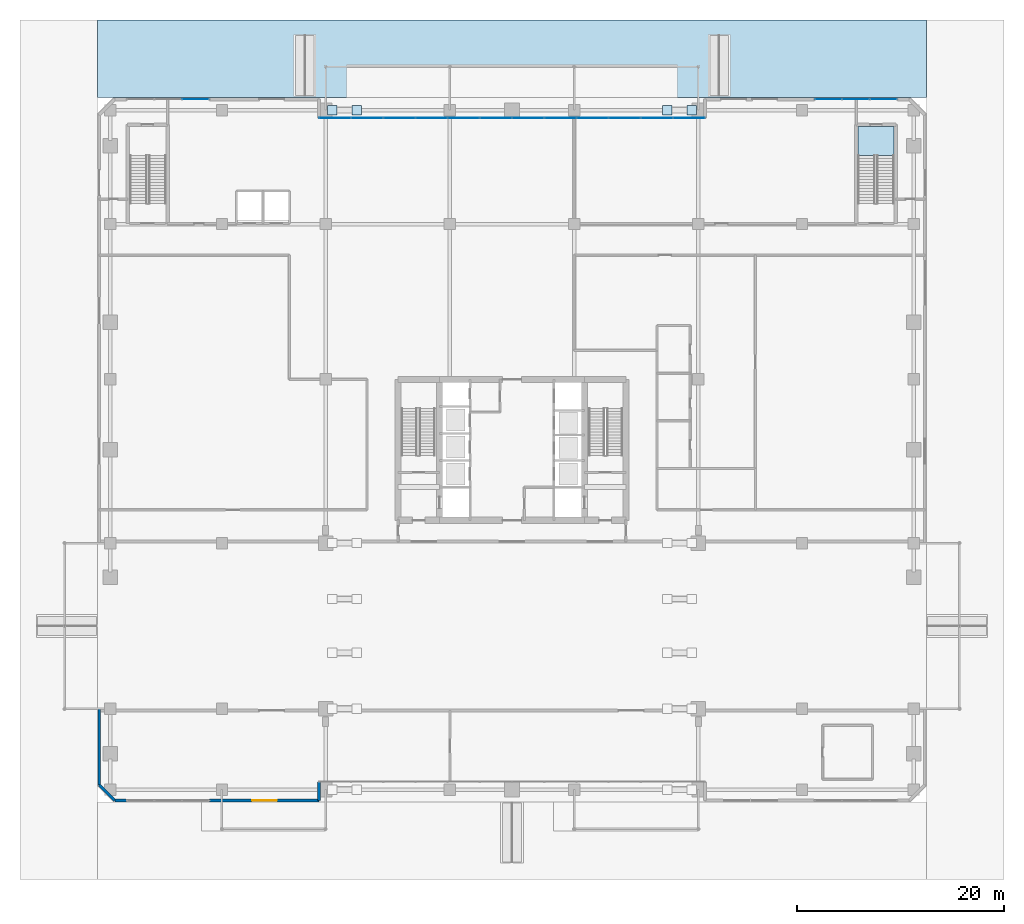
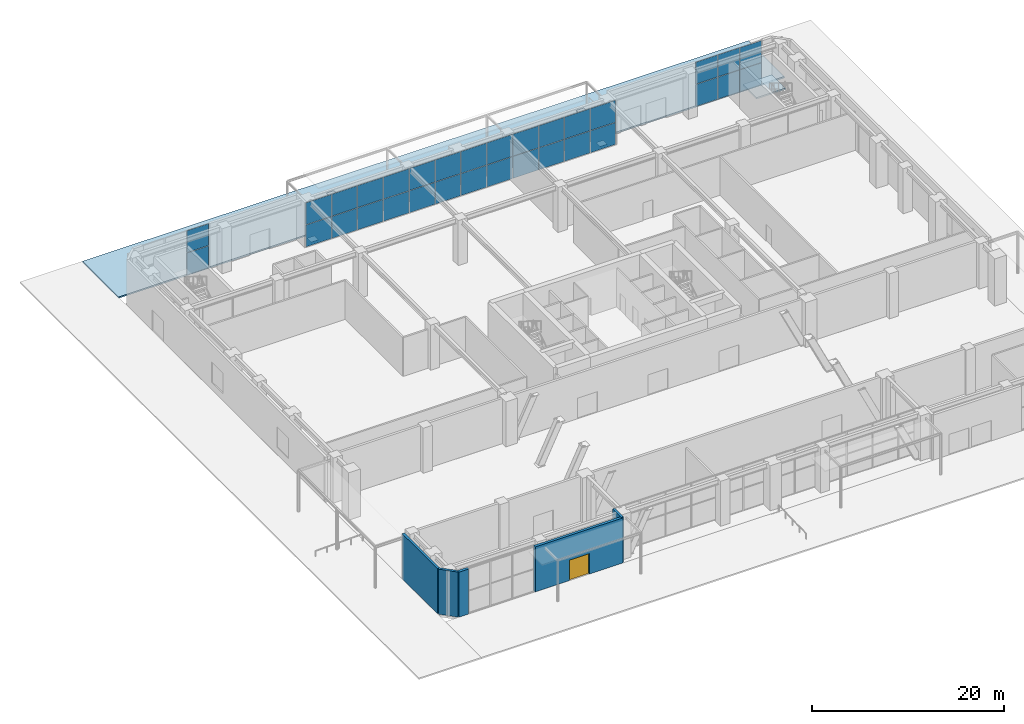
# One storey, part 33 of 49: 36 plates, 5 walls, 2 slabs, 1 door, 1 opening, 4 elements without a shape of their own.
"""IFC4 building model written with IfcOpenShell, lengths in metres."""

from ifc_helpers import new_model, si_unit, direction, frame, frame_2d, origin, origin_2d, place, context, subcontext, project, spatial, polyline, rectangle, outline, extrude, material, layer, layer_set, type_object, element, fill, aggregate, save


model = new_model("IFC4")

# Units and contexts
model_context = context("Model", 3, precision=1e-05, world=origin(), true_north=direction((0.0, 1.0)))
body_context = subcontext(model_context, "Body", "Model", "MODEL_VIEW")
ifc_project = project(units=[si_unit("LENGTHUNIT", "METRE"), si_unit("AREAUNIT", "SQUARE_METRE"), si_unit("VOLUMEUNIT", "CUBIC_METRE"), si_unit("PLANEANGLEUNIT", "RADIAN"), si_unit("MASSUNIT", "GRAM", prefix="KILO")], contexts=[model_context])

# Site, building, storey
site_placement = place(None, origin())
site = spatial("IfcSite", under=ifc_project, at=site_placement, CompositionType="ELEMENT")
building_placement = place(site_placement, origin())
building = spatial("IfcBuilding", under=site, at=building_placement, Name="Sarneth Arch Tower", CompositionType="ELEMENT")
storey_placement = place(building_placement, origin())
storey = spatial("IfcBuildingStorey", under=building, at=storey_placement, Name="L00", CompositionType="ELEMENT", Elevation=0.0)

# Curtain wall, plates
ifc_material_1 = material(Name="Anodised aluminium Type AA25 and solar-control low-e laminated IGU", Category="aluminium")
ifc_layer_1 = layer(ifc_material_1, 0.199951171875)
ifc_layer_set_1 = layer_set([ifc_layer_1], Name="Anodised aluminium Type AA25 and solar-control low-e laminated IGU")
curtain_wall_type = type_object("IfcCurtainWallType", Name="CW-ARCH-GLAZE", PredefinedType="NOTDEFINED", material=ifc_layer_set_1)
curtain_wall_1_placement = place(storey_placement, origin())
curtain_wall_1 = element("IfcCurtainWall", 1, at=curtain_wall_1_placement, inside=storey, type_object=curtain_wall_type, Name="L00 North parabolic arch portal curtain wall", PredefinedType="NOTDEFINED")
ifc_material_2 = material(Name="Solar-control low-e laminated IGU", Category="glass")
ifc_layer_2 = layer(ifc_material_2, 0.028076171875)
ifc_layer_set_2 = layer_set([ifc_layer_2], Name="Solar-control low-e laminated IGU")
plate_type_1 = type_object("IfcPlateType", Name="CW-PANEL", PredefinedType="CURTAIN_PANEL", material=ifc_layer_set_2)
plate_1_placement = place(storey_placement, frame((65.080810546875, 74.050048828125, 0.06005859375), z_axis=(0.0, 0.0, 1.0), x_axis=(-1.0, 0.0, 0.0)))
plate_1 = element("IfcPlate", 2, at=plate_1_placement, type_object=plate_type_1, Name="Curtain wall glazed vision pane CW-L00-N-ARCH/P00-00", PredefinedType="CURTAIN_PANEL", context=body_context, shape_type="SweptSolid", body=[
    extrude(rectangle(XDim=3.018310546875, YDim=0.028076171875, at=origin_2d()), origin(), (0.0, 0.0, 1.0), 2.77001953125),
])
plate_2_placement = place(storey_placement, frame((65.080810546875, 74.050048828125, 2.889892578125), z_axis=(0.0, 0.0, 1.0), x_axis=(-1.0, 0.0, 0.0)))
plate_2 = element("IfcPlate", 3, at=plate_2_placement, type_object=plate_type_1, Name="Curtain wall glazed vision pane CW-L00-N-ARCH/P00-01", PredefinedType="CURTAIN_PANEL", context=body_context, shape_type="SweptSolid", body=[
    extrude(rectangle(XDim=3.018310546875, YDim=0.028076171875, at=origin_2d()), origin(), (0.0, 0.0, 1.0), 2.77001953125),
])
plate_3_placement = place(storey_placement, frame((61.987548828125, 74.050048828125, 0.06005859375), z_axis=(0.0, 0.0, 1.0), x_axis=(-1.0, 0.0, 0.0)))
plate_3 = element("IfcPlate", 4, at=plate_3_placement, type_object=plate_type_1, Name="Curtain wall glazed vision pane CW-L00-N-ARCH/P01-00", PredefinedType="CURTAIN_PANEL", context=body_context, shape_type="SweptSolid", body=[
    extrude(rectangle(XDim=3.04833984375, YDim=0.028076171875, at=origin_2d()), origin(), (0.0, 0.0, 1.0), 2.77001953125),
])
plate_4_placement = place(storey_placement, frame((61.987548828125, 74.050048828125, 2.889892578125), z_axis=(0.0, 0.0, 1.0), x_axis=(-1.0, 0.0, 0.0)))
plate_4 = element("IfcPlate", 5, at=plate_4_placement, type_object=plate_type_1, Name="Curtain wall glazed vision pane CW-L00-N-ARCH/P01-01", PredefinedType="CURTAIN_PANEL", context=body_context, shape_type="SweptSolid", body=[
    extrude(rectangle(XDim=3.04833984375, YDim=0.028076171875, at=origin_2d()), origin(), (0.0, 0.0, 1.0), 2.77001953125),
])
plate_5_placement = place(storey_placement, frame((58.879150390625, 74.050048828125, 0.06005859375), z_axis=(0.0, 0.0, 1.0), x_axis=(-1.0, 0.0, 0.0)))
plate_5 = element("IfcPlate", 6, at=plate_5_placement, type_object=plate_type_1, Name="Curtain wall glazed vision pane CW-L00-N-ARCH/P02-00", PredefinedType="CURTAIN_PANEL", context=body_context, shape_type="SweptSolid", body=[
    extrude(rectangle(XDim=3.04833984375, YDim=0.028076171875, at=origin_2d()), origin(), (0.0, 0.0, 1.0), 2.77001953125),
])
plate_6_placement = place(storey_placement, frame((58.879150390625, 74.050048828125, 2.889892578125), z_axis=(0.0, 0.0, 1.0), x_axis=(-1.0, 0.0, 0.0)))
plate_6 = element("IfcPlate", 7, at=plate_6_placement, type_object=plate_type_1, Name="Curtain wall glazed vision pane CW-L00-N-ARCH/P02-01", PredefinedType="CURTAIN_PANEL", context=body_context, shape_type="SweptSolid", body=[
    extrude(rectangle(XDim=3.04833984375, YDim=0.028076171875, at=origin_2d()), origin(), (0.0, 0.0, 1.0), 2.77001953125),
])
plate_7_placement = place(storey_placement, frame((55.770751953125, 74.050048828125, 0.06005859375), z_axis=(0.0, 0.0, 1.0), x_axis=(-1.0, 0.0, 0.0)))
plate_7 = element("IfcPlate", 8, at=plate_7_placement, type_object=plate_type_1, Name="Curtain wall glazed vision pane CW-L00-N-ARCH/P03-00", PredefinedType="CURTAIN_PANEL", context=body_context, shape_type="SweptSolid", body=[
    extrude(rectangle(XDim=3.04833984375, YDim=0.028076171875, at=origin_2d()), origin(), (0.0, 0.0, 1.0), 2.77001953125),
])
plate_8_placement = place(storey_placement, frame((55.770751953125, 74.050048828125, 2.889892578125), z_axis=(0.0, 0.0, 1.0), x_axis=(-1.0, 0.0, 0.0)))
plate_8 = element("IfcPlate", 9, at=plate_8_placement, type_object=plate_type_1, Name="Curtain wall glazed vision pane CW-L00-N-ARCH/P03-01", PredefinedType="CURTAIN_PANEL", context=body_context, shape_type="SweptSolid", body=[
    extrude(rectangle(XDim=3.04833984375, YDim=0.028076171875, at=origin_2d()), origin(), (0.0, 0.0, 1.0), 2.77001953125),
])
plate_9_placement = place(storey_placement, frame((52.66259765625, 74.050048828125, 0.06005859375), z_axis=(0.0, 0.0, 1.0), x_axis=(-1.0, 0.0, 0.0)))
plate_9 = element("IfcPlate", 10, at=plate_9_placement, type_object=plate_type_1, Name="Curtain wall glazed vision pane CW-L00-N-ARCH/P04-00", PredefinedType="CURTAIN_PANEL", context=body_context, shape_type="SweptSolid", body=[
    extrude(rectangle(XDim=3.04833984375, YDim=0.028076171875, at=origin_2d()), origin(), (0.0, 0.0, 1.0), 2.77001953125),
])
plate_10_placement = place(storey_placement, frame((52.66259765625, 74.050048828125, 2.889892578125), z_axis=(0.0, 0.0, 1.0), x_axis=(-1.0, 0.0, 0.0)))
plate_10 = element("IfcPlate", 11, at=plate_10_placement, type_object=plate_type_1, Name="Curtain wall glazed vision pane CW-L00-N-ARCH/P04-01", PredefinedType="CURTAIN_PANEL", context=body_context, shape_type="SweptSolid", body=[
    extrude(rectangle(XDim=3.04833984375, YDim=0.028076171875, at=origin_2d()), origin(), (0.0, 0.0, 1.0), 2.77001953125),
])
plate_11_placement = place(storey_placement, frame((49.55419921875, 74.050048828125, 0.06005859375), z_axis=(0.0, 0.0, 1.0), x_axis=(-1.0, 0.0, 0.0)))
plate_11 = element("IfcPlate", 12, at=plate_11_placement, type_object=plate_type_1, Name="Curtain wall glazed vision pane CW-L00-N-ARCH/P05-00", PredefinedType="CURTAIN_PANEL", context=body_context, shape_type="SweptSolid", body=[
    extrude(rectangle(XDim=3.04833984375, YDim=0.028076171875, at=origin_2d()), origin(), (0.0, 0.0, 1.0), 2.77001953125),
])
plate_12_placement = place(storey_placement, frame((49.55419921875, 74.050048828125, 2.889892578125), z_axis=(0.0, 0.0, 1.0), x_axis=(-1.0, 0.0, 0.0)))
plate_12 = element("IfcPlate", 13, at=plate_12_placement, type_object=plate_type_1, Name="Curtain wall glazed vision pane CW-L00-N-ARCH/P05-01", PredefinedType="CURTAIN_PANEL", context=body_context, shape_type="SweptSolid", body=[
    extrude(rectangle(XDim=3.04833984375, YDim=0.028076171875, at=origin_2d()), origin(), (0.0, 0.0, 1.0), 2.77001953125),
])
plate_13_placement = place(storey_placement, frame((46.44580078125, 74.050048828125, 0.06005859375), z_axis=(0.0, 0.0, 1.0), x_axis=(-1.0, 0.0, 0.0)))
plate_13 = element("IfcPlate", 14, at=plate_13_placement, type_object=plate_type_1, Name="Curtain wall glazed vision pane CW-L00-N-ARCH/P06-00", PredefinedType="CURTAIN_PANEL", context=body_context, shape_type="SweptSolid", body=[
    extrude(rectangle(XDim=3.04833984375, YDim=0.028076171875, at=origin_2d()), origin(), (0.0, 0.0, 1.0), 2.77001953125),
])
plate_14_placement = place(storey_placement, frame((46.44580078125, 74.050048828125, 2.889892578125), z_axis=(0.0, 0.0, 1.0), x_axis=(-1.0, 0.0, 0.0)))
plate_14 = element("IfcPlate", 15, at=plate_14_placement, type_object=plate_type_1, Name="Curtain wall glazed vision pane CW-L00-N-ARCH/P06-01", PredefinedType="CURTAIN_PANEL", context=body_context, shape_type="SweptSolid", body=[
    extrude(rectangle(XDim=3.04833984375, YDim=0.028076171875, at=origin_2d()), origin(), (0.0, 0.0, 1.0), 2.77001953125),
])
plate_15_placement = place(storey_placement, frame((43.33740234375, 74.050048828125, 0.06005859375), z_axis=(0.0, 0.0, 1.0), x_axis=(-1.0, 0.0, 0.0)))
plate_15 = element("IfcPlate", 16, at=plate_15_placement, type_object=plate_type_1, Name="Curtain wall glazed vision pane CW-L00-N-ARCH/P07-00", PredefinedType="CURTAIN_PANEL", context=body_context, shape_type="SweptSolid", body=[
    extrude(rectangle(XDim=3.04833984375, YDim=0.028076171875, at=origin_2d()), origin(), (0.0, 0.0, 1.0), 2.77001953125),
])
plate_16_placement = place(storey_placement, frame((43.33740234375, 74.050048828125, 2.889892578125), z_axis=(0.0, 0.0, 1.0), x_axis=(-1.0, 0.0, 0.0)))
plate_16 = element("IfcPlate", 17, at=plate_16_placement, type_object=plate_type_1, Name="Curtain wall glazed vision pane CW-L00-N-ARCH/P07-01", PredefinedType="CURTAIN_PANEL", context=body_context, shape_type="SweptSolid", body=[
    extrude(rectangle(XDim=3.04833984375, YDim=0.028076171875, at=origin_2d()), origin(), (0.0, 0.0, 1.0), 2.77001953125),
])
plate_17_placement = place(storey_placement, frame((40.229248046875, 74.050048828125, 0.06005859375), z_axis=(0.0, 0.0, 1.0), x_axis=(-1.0, 0.0, 0.0)))
plate_17 = element("IfcPlate", 18, at=plate_17_placement, type_object=plate_type_1, Name="Curtain wall glazed vision pane CW-L00-N-ARCH/P08-00", PredefinedType="CURTAIN_PANEL", context=body_context, shape_type="SweptSolid", body=[
    extrude(rectangle(XDim=3.04833984375, YDim=0.028076171875, at=origin_2d()), origin(), (0.0, 0.0, 1.0), 2.77001953125),
])
plate_18_placement = place(storey_placement, frame((40.229248046875, 74.050048828125, 2.889892578125), z_axis=(0.0, 0.0, 1.0), x_axis=(-1.0, 0.0, 0.0)))
plate_18 = element("IfcPlate", 19, at=plate_18_placement, type_object=plate_type_1, Name="Curtain wall glazed vision pane CW-L00-N-ARCH/P08-01", PredefinedType="CURTAIN_PANEL", context=body_context, shape_type="SweptSolid", body=[
    extrude(rectangle(XDim=3.04833984375, YDim=0.028076171875, at=origin_2d()), origin(), (0.0, 0.0, 1.0), 2.77001953125),
])
plate_19_placement = place(storey_placement, frame((37.120849609375, 74.050048828125, 0.06005859375), z_axis=(0.0, 0.0, 1.0), x_axis=(-1.0, 0.0, 0.0)))
plate_19 = element("IfcPlate", 20, at=plate_19_placement, type_object=plate_type_1, Name="Curtain wall glazed vision pane CW-L00-N-ARCH/P09-00", PredefinedType="CURTAIN_PANEL", context=body_context, shape_type="SweptSolid", body=[
    extrude(rectangle(XDim=3.04833984375, YDim=0.028076171875, at=origin_2d()), origin(), (0.0, 0.0, 1.0), 2.77001953125),
])
plate_20_placement = place(storey_placement, frame((37.120849609375, 74.050048828125, 2.889892578125), z_axis=(0.0, 0.0, 1.0), x_axis=(-1.0, 0.0, 0.0)))
plate_20 = element("IfcPlate", 21, at=plate_20_placement, type_object=plate_type_1, Name="Curtain wall glazed vision pane CW-L00-N-ARCH/P09-01", PredefinedType="CURTAIN_PANEL", context=body_context, shape_type="SweptSolid", body=[
    extrude(rectangle(XDim=3.04833984375, YDim=0.028076171875, at=origin_2d()), origin(), (0.0, 0.0, 1.0), 2.77001953125),
])
plate_21_placement = place(storey_placement, frame((34.012451171875, 74.050048828125, 0.06005859375), z_axis=(0.0, 0.0, 1.0), x_axis=(-1.0, 0.0, 0.0)))
plate_21 = element("IfcPlate", 22, at=plate_21_placement, type_object=plate_type_1, Name="Curtain wall glazed vision pane CW-L00-N-ARCH/P10-00", PredefinedType="CURTAIN_PANEL", context=body_context, shape_type="SweptSolid", body=[
    extrude(rectangle(XDim=3.04833984375, YDim=0.028076171875, at=origin_2d()), origin(), (0.0, 0.0, 1.0), 2.77001953125),
])
plate_22_placement = place(storey_placement, frame((34.012451171875, 74.050048828125, 2.889892578125), z_axis=(0.0, 0.0, 1.0), x_axis=(-1.0, 0.0, 0.0)))
plate_22 = element("IfcPlate", 23, at=plate_22_placement, type_object=plate_type_1, Name="Curtain wall glazed vision pane CW-L00-N-ARCH/P10-01", PredefinedType="CURTAIN_PANEL", context=body_context, shape_type="SweptSolid", body=[
    extrude(rectangle(XDim=3.04833984375, YDim=0.028076171875, at=origin_2d()), origin(), (0.0, 0.0, 1.0), 2.77001953125),
])
plate_23_placement = place(storey_placement, frame((30.919189453125, 74.050048828125, 0.06005859375), z_axis=(0.0, 0.0, 1.0), x_axis=(-1.0, 0.0, 0.0)))
plate_23 = element("IfcPlate", 24, at=plate_23_placement, type_object=plate_type_1, Name="Curtain wall glazed vision pane CW-L00-N-ARCH/P11-00", PredefinedType="CURTAIN_PANEL", context=body_context, shape_type="SweptSolid", body=[
    extrude(rectangle(XDim=3.018310546875, YDim=0.028076171875, at=origin_2d()), origin(), (0.0, 0.0, 1.0), 2.77001953125),
])
plate_24_placement = place(storey_placement, frame((30.919189453125, 74.050048828125, 2.889892578125), z_axis=(0.0, 0.0, 1.0), x_axis=(-1.0, 0.0, 0.0)))
plate_24 = element("IfcPlate", 25, at=plate_24_placement, type_object=plate_type_1, Name="Curtain wall glazed vision pane CW-L00-N-ARCH/P11-01", PredefinedType="CURTAIN_PANEL", context=body_context, shape_type="SweptSolid", body=[
    extrude(rectangle(XDim=3.018310546875, YDim=0.028076171875, at=origin_2d()), origin(), (0.0, 0.0, 1.0), 2.77001953125),
])
aggregate(curtain_wall_1, [plate_1, plate_2, plate_3, plate_4, plate_5, plate_6, plate_7, plate_8, plate_9, plate_10, plate_11, plate_12, plate_13, plate_14, plate_15, plate_16, plate_17, plate_18, plate_19, plate_20, plate_21, plate_22, plate_23, plate_24])

curtain_wall_2_placement = place(storey_placement, origin())
curtain_wall_2 = element("IfcCurtainWall", 26, at=curtain_wall_2_placement, inside=storey, type_object=curtain_wall_type, Name="L00 Podium bay curtain wall NE", PredefinedType="NOTDEFINED")
plate_25_placement = place(storey_placement, frame((83.8515625, 75.85009765625, 0.06005859375), z_axis=(0.0, 0.0, 1.0), x_axis=(-1.0, 0.0, 0.0)))
plate_25 = element("IfcPlate", 27, at=plate_25_placement, type_object=plate_type_1, Name="Curtain wall glazed vision pane CW-L00-CORNER-NE/P00-00", PredefinedType="CURTAIN_PANEL", context=body_context, shape_type="SweptSolid", body=[
    extrude(rectangle(XDim=2.57666015625, YDim=0.028076171875, at=origin_2d()), origin(), (0.0, 0.0, 1.0), 2.77001953125),
])
plate_26_placement = place(storey_placement, frame((83.8515625, 75.85009765625, 2.889892578125), z_axis=(0.0, 0.0, 1.0), x_axis=(-1.0, 0.0, 0.0)))
plate_26 = element("IfcPlate", 28, at=plate_26_placement, type_object=plate_type_1, Name="Curtain wall glazed vision pane CW-L00-CORNER-NE/P00-01", PredefinedType="CURTAIN_PANEL", context=body_context, shape_type="SweptSolid", body=[
    extrude(rectangle(XDim=2.57666015625, YDim=0.028076171875, at=origin_2d()), origin(), (0.0, 0.0, 1.0), 2.77001953125),
])
plate_27_placement = place(storey_placement, frame((81.199951171875, 75.85009765625, 0.06005859375), z_axis=(0.0, 0.0, 1.0), x_axis=(-1.0, 0.0, 0.0)))
plate_27 = element("IfcPlate", 29, at=plate_27_placement, type_object=plate_type_1, Name="Curtain wall glazed vision pane CW-L00-CORNER-NE/P01-00", PredefinedType="CURTAIN_PANEL", context=body_context, shape_type="SweptSolid", body=[
    extrude(rectangle(XDim=2.606689453125, YDim=0.028076171875, at=origin_2d()), origin(), (0.0, 0.0, 1.0), 2.77001953125),
])
plate_28_placement = place(storey_placement, frame((81.199951171875, 75.85009765625, 2.889892578125), z_axis=(0.0, 0.0, 1.0), x_axis=(-1.0, 0.0, 0.0)))
plate_28 = element("IfcPlate", 30, at=plate_28_placement, type_object=plate_type_1, Name="Curtain wall glazed vision pane CW-L00-CORNER-NE/P01-01", PredefinedType="CURTAIN_PANEL", context=body_context, shape_type="SweptSolid", body=[
    extrude(rectangle(XDim=2.606689453125, YDim=0.028076171875, at=origin_2d()), origin(), (0.0, 0.0, 1.0), 2.77001953125),
])
plate_29_placement = place(storey_placement, frame((78.54833984375, 75.85009765625, 0.06005859375), z_axis=(0.0, 0.0, 1.0), x_axis=(-1.0, 0.0, 0.0)))
plate_29 = element("IfcPlate", 31, at=plate_29_placement, type_object=plate_type_1, Name="Curtain wall glazed vision pane CW-L00-CORNER-NE/P02-00", PredefinedType="CURTAIN_PANEL", context=body_context, shape_type="SweptSolid", body=[
    extrude(rectangle(XDim=2.57666015625, YDim=0.028076171875, at=origin_2d()), origin(), (0.0, 0.0, 1.0), 2.77001953125),
])
plate_30_placement = place(storey_placement, frame((78.54833984375, 75.85009765625, 2.889892578125), z_axis=(0.0, 0.0, 1.0), x_axis=(-1.0, 0.0, 0.0)))
plate_30 = element("IfcPlate", 32, at=plate_30_placement, type_object=plate_type_1, Name="Curtain wall glazed vision pane CW-L00-CORNER-NE/P02-01", PredefinedType="CURTAIN_PANEL", context=body_context, shape_type="SweptSolid", body=[
    extrude(rectangle(XDim=2.57666015625, YDim=0.028076171875, at=origin_2d()), origin(), (0.0, 0.0, 1.0), 2.77001953125),
])
aggregate(curtain_wall_2, [plate_25, plate_26, plate_27, plate_28, plate_29, plate_30])

curtain_wall_3_placement = place(storey_placement, origin())
curtain_wall_3 = element("IfcCurtainWall", 33, at=curtain_wall_3_placement, inside=storey, type_object=curtain_wall_type, Name="L00 Podium bay curtain wall NW", PredefinedType="NOTDEFINED")
plate_31_placement = place(storey_placement, frame((17.45166015625, 75.85009765625, 0.06005859375), z_axis=(0.0, 0.0, 1.0), x_axis=(-1.0, 0.0, 0.0)))
plate_31 = element("IfcPlate", 34, at=plate_31_placement, type_object=plate_type_1, Name="Curtain wall glazed vision pane CW-L00-CORNER-NW/P00-00", PredefinedType="CURTAIN_PANEL", context=body_context, shape_type="SweptSolid", body=[
    extrude(rectangle(XDim=2.57666015625, YDim=0.028076171875, at=origin_2d()), origin(), (0.0, 0.0, 1.0), 2.77001953125),
])
plate_32_placement = place(storey_placement, frame((17.45166015625, 75.85009765625, 2.889892578125), z_axis=(0.0, 0.0, 1.0), x_axis=(-1.0, 0.0, 0.0)))
plate_32 = element("IfcPlate", 35, at=plate_32_placement, type_object=plate_type_1, Name="Curtain wall glazed vision pane CW-L00-CORNER-NW/P00-01", PredefinedType="CURTAIN_PANEL", context=body_context, shape_type="SweptSolid", body=[
    extrude(rectangle(XDim=2.57666015625, YDim=0.028076171875, at=origin_2d()), origin(), (0.0, 0.0, 1.0), 2.77001953125),
])
aggregate(curtain_wall_3, [plate_31, plate_32])

# Plates
ifc_material_3 = material(Name="Steel S355", Category="steel")
ifc_layer_3 = layer(ifc_material_3, 0.035888671875)
ifc_layer_set_3 = layer_set([ifc_layer_3], Name="Steel S355")
plate_type_2 = type_object("IfcPlateType", Name="PLT-GUSSET-30", PredefinedType="SHEET", material=ifc_layer_set_3)
for number, where, z_axis, x_axis, name in (
    (36, (30.64990234375, 74.800048828125, 0.1318359375), (0.0, 0.0, 1.0), (1.0, 0.0, 0.0), "Steel end cap plate GP-1"),
    (37, (33.0, 74.800048828125, 5.01318359375), (0.0, 0.0, 1.0), (-1.0, 0.0, 0.0), "Steel end cap plate GP-1"),
    (38, (63.0, 74.800048828125, 5.01318359375), (0.0, 0.0, 1.0), (-1.0, 0.0, 0.0), "Steel end cap plate GP-1"),
    (39, (65.35009765625, 74.800048828125, 0.1318359375), (0.0, 0.0, 1.0), (-1.0, 0.0, 0.0), "Steel end cap plate GP-1"),
):
    element("IfcPlate", number, at=place(storey_placement, frame(where, z_axis=z_axis, x_axis=x_axis)), inside=storey, type_object=plate_type_2, Name=name, PredefinedType="SHEET", context=body_context, shape_type="SweptSolid", body=[
        extrude(rectangle(XDim=0.89990234375, YDim=0.89990234375, at=origin_2d()), origin(), (0.0, 0.0, 1.0), 0.035888671875),
    ])

# Stair, slab
ifc_material_4 = material(Name="Concrete C50/60", Category="concrete")
stair_type = type_object("IfcStairType", Name="STAIR-PODIUM-RC", PredefinedType="HALF_TURN_STAIR", material=ifc_material_4)
stair_placement = place(storey_placement, origin())
stair = element("IfcStair", 40, at=stair_placement, inside=storey, type_object=stair_type, Name="L00 Podium Exit Stair P2", PredefinedType="HALF_TURN_STAIR")
ifc_material_5 = material(Name="Concrete C50/60", Category="concrete")
ifc_layer_4 = layer(ifc_material_5, 0.199951171875)
ifc_layer_set_4 = layer_set([ifc_layer_4], Name="Concrete C50/60")
slab_type_1 = type_object("IfcSlabType", Name="SLAB-LANDING-200", PredefinedType="LANDING", material=ifc_layer_set_4)
slab_1_placement = place(storey_placement, frame((0.0, 0.0, 2.800048828125)))
slab_1 = element("IfcSlab", 41, at=slab_1_placement, type_object=slab_type_1, Name="ST-P2 landing 1", PredefinedType="LANDING", context=body_context, shape_type="SweptSolid", body=[
    extrude(outline(polyline([(81.425048828125, 70.409912109375), (84.875, 70.409912109375), (84.875, 73.22509765625), (81.425048828125, 73.22509765625), (81.425048828125, 70.409912109375)])), origin(), (0.0, 0.0, 1.0), 0.199951171875),
])
aggregate(stair, [slab_1])

# Slab
ifc_material_6 = material(Name="Granite stone on Concrete C40/50 bed", Category="masonry")
ifc_layer_5 = layer(ifc_material_6, 0.179931640625)
ifc_layer_set_5 = layer_set([ifc_layer_5], Name="Granite stone on Concrete C40/50 bed")
slab_type_2 = type_object("IfcSlabType", Name="SLAB-PAVING-180", PredefinedType="USERDEFINED", material=ifc_layer_set_5)
slab_2_placement = place(storey_placement, frame((0.0, 0.0, -0.179931640625)))
element("IfcSlab", 42, at=slab_2_placement, inside=storey, type_object=slab_type_2, Name="Public plaza paving SLAB-PAV-NORTH", ObjectType="PAVING", PredefinedType="USERDEFINED", context=body_context, shape_type="SweptSolid", body=[
    extrude(outline(polyline([(8.0, 76.0), (88.0, 76.0), (88.0, 83.5), (8.0, 83.5), (8.0, 76.0)])), origin(), (0.0, 0.0, 1.0), 0.179931640625),
])

# Walls
ifc_material_7 = material(Name="Extruded terracotta rainscreen on Concrete C40/50 backing", Category="masonry")
ifc_layer_6 = layer(ifc_material_7, 0.280029296875)
ifc_layer_set_6 = layer_set([ifc_layer_6], Name="Extruded terracotta rainscreen on Concrete C40/50 backing")
wall_type_1 = type_object("IfcWallType", Name="WALL-EXT-TERRA-280", PredefinedType="SOLIDWALL", material=ifc_layer_set_6)
wall_1_placement = place(storey_placement, frame((29.35009765625, 8.14990234375, 0.0), z_axis=(0.0, 0.0, 1.0), x_axis=(0.0, 1.0, 0.0)))
element("IfcWall", 43, at=wall_1_placement, inside=storey, type_object=wall_type_1, Name="L00 South-west arch portal return", PredefinedType="SOLIDWALL", context=body_context, shape_type="SweptSolid", body=[
    extrude(rectangle(XDim=1.800048828125, YDim=0.280029296875, at=frame_2d((0.89990234375, 0.0))), origin(), (0.0, 0.0, 1.0), 5.719970703125),
])
wall_2_placement = place(storey_placement, frame((8.14990234375, 17.0, 0.0), z_axis=(0.0, 0.0, 1.0), x_axis=(0.0, -1.0, 0.0)))
element("IfcWall", 44, at=wall_2_placement, inside=storey, type_object=wall_type_1, Name="L00 West south wing wall", PredefinedType="SOLIDWALL", context=body_context, shape_type="SweptSolid", body=[
    extrude(rectangle(XDim=7.35009765625, YDim=0.280029296875, at=frame_2d((3.675048828125, 0.0))), origin(), (0.0, 0.0, 1.0), 5.719970703125),
])
wall_3_placement = place(storey_placement, frame((8.14990234375, 9.64990234375, 0.0), z_axis=(0.0, 0.0, 1.0), x_axis=(0.707106781187, -0.707106781187, 0.0)))
element("IfcWall", 45, at=wall_3_placement, inside=storey, type_object=wall_type_1, Name="L00 Podium chamfer terracotta wall SW", PredefinedType="SOLIDWALL", context=body_context, shape_type="SweptSolid", body=[
    extrude(rectangle(XDim=2.121337890625, YDim=0.280029296875, at=frame_2d((1.060546875, 0.0))), origin(), (0.0, 0.0, 1.0), 5.719970703125),
])
ifc_material_8 = material(Name="Extruded terracotta rainscreen on Concrete C40/50 backing", Category="masonry")
ifc_layer_7 = layer(ifc_material_8, 0.320068359375)
ifc_layer_set_7 = layer_set([ifc_layer_7], Name="Extruded terracotta rainscreen on Concrete C40/50 backing")
wall_type_2 = type_object("IfcWallType", Name="WALL-EXT-TERRA-320", PredefinedType="SOLIDWALL", material=ifc_layer_set_7)
wall_4_placement = place(storey_placement, frame((9.64990234375, 8.14990234375, 0.0), z_axis=(0.0, 0.0, 1.0), x_axis=(1.0, 0.0, 0.0)))
element("IfcWall", 46, at=wall_4_placement, inside=storey, type_object=wall_type_2, Name="L00 South-west pier", PredefinedType="SOLIDWALL", context=body_context, shape_type="SweptSolid", body=[
    extrude(rectangle(XDim=1.150146484375, YDim=0.320068359375, at=frame_2d((0.5751953125, 0.0))), origin(), (0.0, 0.0, 1.0), 5.719970703125),
])

# Wall, opening, door
wall_5_placement = place(storey_placement, frame((29.35009765625, 8.14990234375, 0.0), z_axis=(0.0, 0.0, 1.0), x_axis=(-1.0, 0.0, 0.0)))
wall_5 = element("IfcWall", 47, at=wall_5_placement, inside=storey, type_object=wall_type_2, Name="L00 South-west podium wing wall", PredefinedType="SOLIDWALL", context=body_context, shape_type="SweptSolid", body=[
    extrude(rectangle(XDim=10.550048828125, YDim=0.320068359375, at=frame_2d((5.27490234375, 0.0))), origin(), (0.0, 0.0, 1.0), 5.719970703125),
])
opening_placement = place(wall_5_placement, frame((4.050048828125, 0.0, 0.0)))
opening = element("IfcOpeningElement", 48, at=opening_placement, cuts=wall_5, Name="Opening ED-1", PredefinedType="OPENING", context=body_context, shape_type="SweptSolid", body=[
    extrude(rectangle(XDim=2.39990234375, YDim=2.60009765625, at=frame_2d((1.199951171875, 1.300048828125))), frame((0.0, 0.169921875, 0.0), z_axis=(0.0, -1.0, 0.0), x_axis=(1.0, 0.0, 0.0)), (0.0, 0.0, 1.0), 0.340087890625),
])
ifc_material_9 = material(Name="Thermally broken Aluminium 6063-T6 and laminated safety glass", Category="aluminium")
door_type = type_object("IfcDoorType", Name="DR-EXT-DBL-2400", OperationType="DOUBLE_DOOR_SINGLE_SWING", PredefinedType="DOOR", material=ifc_material_9)
door_placement = place(opening_placement, origin())
door = element("IfcDoor", 49, at=door_placement, inside=storey, type_object=door_type, Name="South Plaza Retail Exit Door 1", OperationType="DOUBLE_DOOR_SINGLE_SWING", OverallHeight=2.60009765625, OverallWidth=2.39990234375, PredefinedType="DOOR", context=body_context, shape_type="SweptSolid", body=[
    extrude(rectangle(XDim=2.39990234375, YDim=2.60009765625, at=frame_2d((1.199951171875, 1.300048828125))), frame((0.0, 0.02490234375, 0.0), z_axis=(0.0, -1.0, 0.0), x_axis=(1.0, 0.0, 0.0)), (0.0, 0.0, 1.0), 0.050048828125),
])
fill(opening, door)

save(model, "model.ifc")
